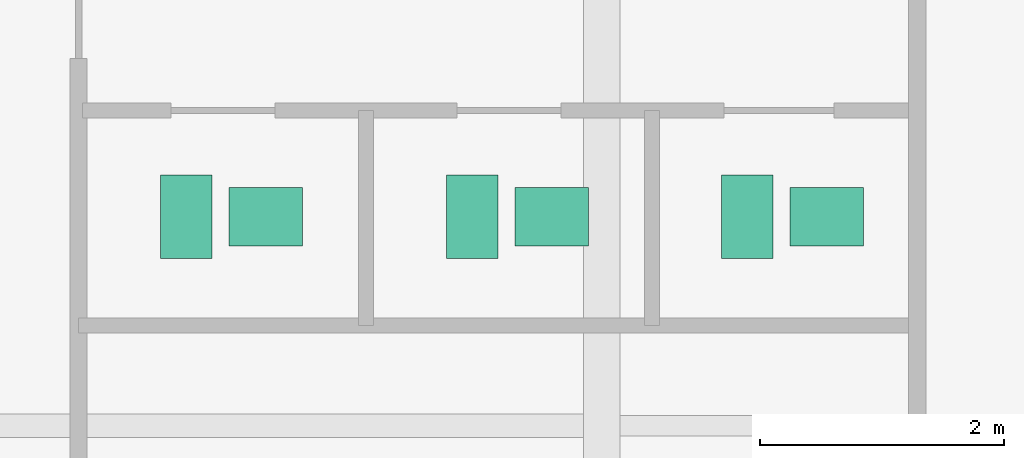
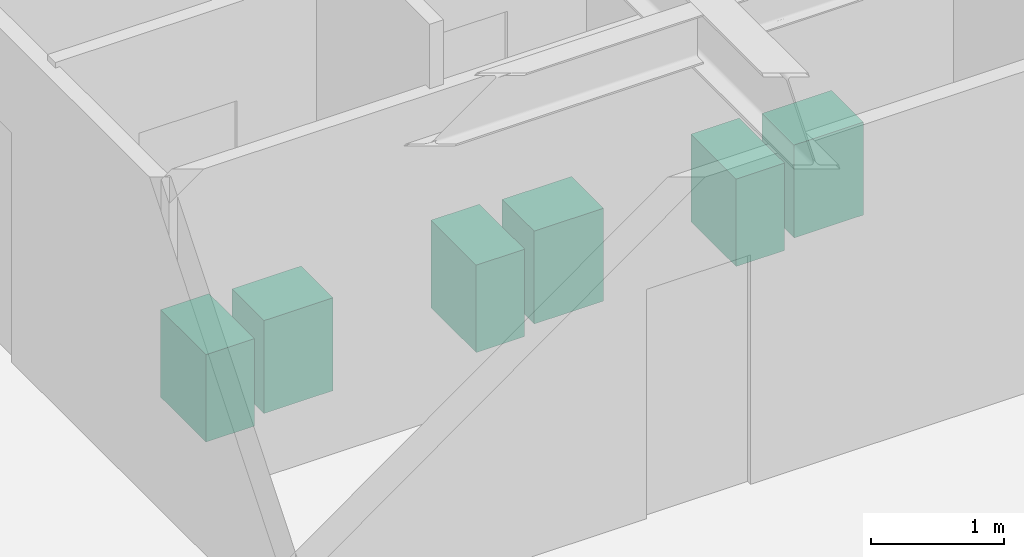
# One storey, part 25 of 25: 6 sanitary terminals.
"""IFC4 building model written with IfcOpenShell, lengths in metres."""

import ifcopenshell
import ifcopenshell.guid

model = None  # the IFC model being written
_history = None  # IfcOwnerHistory: only IFC2X3 demands one
_inside = {}  # id of a spatial element -> (the spatial element, [elements in it])
_under = {}  # id of a project, library or spatial element -> (it, [spatial elements below it])
_declared = {}  # id of a project -> (the project, [libraries it declares])
_typed = {}  # id of a type object -> (the type object, [elements of that type])
_made_of = {}  # id of a material, layer set ... -> (it, [elements and type objects made of it])


def new_model(schema):
    """Start an empty IFC model of exactly this schema.

    Asked for "IFC4X3", IfcOpenShell would pick the latest addendum, in which some entities
    have other attributes; the version numbers below select the first issue.
    IFC2X3 requires an IfcOwnerHistory on every rooted entity: one is made here for all.
    """
    global model, _history
    if schema == "IFC4X3":
        model = ifcopenshell.file(schema_version=(4, 3, 0, 0))
    else:
        model = ifcopenshell.file(schema=schema)
    _inside.clear()
    _under.clear()
    _declared.clear()
    _typed.clear()
    _made_of.clear()
    _history = None
    if model.schema == "IFC2X3":
        org = make("IfcOrganization", Name="unknown")
        user = make(
            "IfcPersonAndOrganization",
            ThePerson=make("IfcPerson", FamilyName="unknown"),
            TheOrganization=org,
        )
        app = make(
            "IfcApplication",
            ApplicationDeveloper=org,
            Version="unknown",
            ApplicationFullName="unknown",
            ApplicationIdentifier="unknown",
        )
        _history = make(
            "IfcOwnerHistory",
            OwningUser=user,
            OwningApplication=app,
            ChangeAction="ADDED",
            CreationDate=0,
        )
    return model


def make(cls, **values):
    """One entity of the class cls with the attributes given. An attribute that is None is left unset."""
    return model.create_entity(
        cls, **{name: value for name, value in values.items() if value is not None}
    )


def rooted(cls, **values):
    """An entity with a GlobalId (a new one), such as an element, a storey or a relation."""
    return make(cls, GlobalId=ifcopenshell.guid.new(), OwnerHistory=_history, **values)


def si_unit(unit_type, name, prefix=None):
    """IfcSIUnit, for example si_unit("LENGTHUNIT", "METRE", prefix="MILLI")."""
    return make("IfcSIUnit", UnitType=unit_type, Prefix=prefix, Name=name)


def assignment(units):
    """IfcUnitAssignment: the units of a project."""
    return None if units is None else make("IfcUnitAssignment", Units=units)


def point(xyz):
    """IfcCartesianPoint."""
    return None if xyz is None else make("IfcCartesianPoint", Coordinates=xyz)


def direction(xyz):
    """IfcDirection."""
    return None if xyz is None else make("IfcDirection", DirectionRatios=xyz)


def frame(location, z_axis=None, x_axis=None):
    """IfcAxis2Placement3D, a coordinate frame: its origin and axes. An axis left out is left unset."""
    return make(
        "IfcAxis2Placement3D",
        Location=point(location),
        Axis=direction(z_axis),
        RefDirection=direction(x_axis),
    )


def frame_2d(location, x_axis=None):
    """IfcAxis2Placement2D, a coordinate frame in the plane: its origin and x axis."""
    return make(
        "IfcAxis2Placement2D", Location=point(location), RefDirection=direction(x_axis)
    )


def origin():
    """The frame at (0, 0, 0) with its axes left unset."""
    return frame((0.0, 0.0, 0.0))


def origin_2d():
    """The frame at (0, 0) in the plane with its x axis left unset."""
    return frame_2d((0.0, 0.0))


def place(relative_to, where):
    """IfcLocalPlacement: puts the frame where relative to a parent placement (None: the world)."""
    return make(
        "IfcLocalPlacement", PlacementRelTo=relative_to, RelativePlacement=where
    )


def context(
    kind, dimensions, precision=None, world=None, true_north=None, identifier=None
):
    """IfcGeometricRepresentationContext, for example the 3D "Model" context."""
    return make(
        "IfcGeometricRepresentationContext",
        ContextIdentifier=identifier,
        ContextType=kind,
        CoordinateSpaceDimension=dimensions,
        Precision=precision,
        WorldCoordinateSystem=world,
        TrueNorth=true_north,
    )


def subcontext(parent, identifier, kind, view, scale=None):
    """IfcGeometricRepresentationSubContext, for example "Body" below "Model"."""
    return make(
        "IfcGeometricRepresentationSubContext",
        ContextIdentifier=identifier,
        ContextType=kind,
        ParentContext=parent,
        TargetScale=scale,
        TargetView=view,
    )


def project(units=None, contexts=None):
    """IfcProject with its units and contexts."""
    return rooted(
        "IfcProject",
        Name="project",
        RepresentationContexts=contexts,
        UnitsInContext=assignment(units),
    )


def spatial(cls, under=None, at=None, **own):
    """A site, building, storey or space (cls), placed at a placement, below another one or the project."""
    s = rooted(cls, ObjectPlacement=at, **own)
    if under is not None:
        _under.setdefault(under.id(), (under, []))[1].append(s)
    return s


def profile(cls, at=None, kind="AREA", **sizes):
    """A parametric profile (cls). Its sizes go by their IFC names, for example OverallWidth=200.0."""
    return make(cls, ProfileType=kind, Position=at, **sizes)


def rectangle(**sizes):
    """IfcRectangleProfileDef."""
    return profile("IfcRectangleProfileDef", **sizes)


def extrude(swept, where, along, depth):
    """IfcExtrudedAreaSolid: the profile swept, set in the frame where, extruded along a direction by depth."""
    return make(
        "IfcExtrudedAreaSolid",
        SweptArea=swept,
        Position=where,
        ExtrudedDirection=direction(along),
        Depth=depth,
    )


def shape(context_of_items, identifier, shape_type, items):
    """IfcShapeRepresentation: the items that make up one representation, for example the "Body"."""
    return make(
        "IfcShapeRepresentation",
        ContextOfItems=context_of_items,
        RepresentationIdentifier=identifier,
        RepresentationType=shape_type,
        Items=items,
    )


def source(mapping_origin, context_of_items, identifier, shape_type, items):
    """IfcRepresentationMap: a shape defined once, which mapped items show again and again."""
    return make(
        "IfcRepresentationMap",
        MappingOrigin=mapping_origin,
        MappedRepresentation=shape(context_of_items, identifier, shape_type, items),
    )


def transform(
    local_origin,
    x_axis=None,
    y_axis=None,
    z_axis=None,
    scale=None,
    scale2=None,
    scale3=None,
    uniform=True,
):
    """IfcCartesianTransformationOperator3D, or its non-uniform kind. x_axis, y_axis, z_axis: its Axis1, 2, 3."""
    if uniform:
        return make(
            "IfcCartesianTransformationOperator3D",
            Axis1=direction(x_axis),
            Axis2=direction(y_axis),
            LocalOrigin=point(local_origin),
            Scale=scale,
            Axis3=direction(z_axis),
        )
    return make(
        "IfcCartesianTransformationOperator3DnonUniform",
        Axis1=direction(x_axis),
        Axis2=direction(y_axis),
        LocalOrigin=point(local_origin),
        Scale=scale,
        Axis3=direction(z_axis),
        Scale2=scale2,
        Scale3=scale3,
    )


def mapped(mapping_source, mapping_target):
    """IfcMappedItem: shows the shape of a source again, moved by a transform."""
    return make(
        "IfcMappedItem", MappingSource=mapping_source, MappingTarget=mapping_target
    )


def material(Name=None, Category=None):
    """IfcMaterial."""
    return make("IfcMaterial", Name=Name, Category=Category)


def made_of(thing, what):
    """Note that an element or type object is made of a material, layer set ...; save() writes the relation."""
    if what is not None:
        _made_of.setdefault(what.id(), (what, []))[1].append(thing)
    return thing


def type_object(cls, material=None, **own):
    """A type object (cls), such as IfcWallType, which elements share."""
    return made_of(rooted(cls, **own), material)


def type_shapes(of_type, sources):
    """Give a type object the sources (RepresentationMaps) that its elements show as mapped items."""
    of_type.RepresentationMaps = sources


def element(
    cls,
    number,
    at=None,
    inside=None,
    cuts=None,
    type_object=None,
    material=None,
    context=None,
    identifier="Body",
    shape_type=None,
    held_by="IfcProductDefinitionShape",
    body=None,
    shapes=None,
    **own,
):
    """One element of the class cls, such as IfcWall. Its Tag is "e" and its number.

    at: its placement. inside: the storey or other place that contains it. cuts: it is an
    opening in that element (IfcRelVoidsElement). A single representation is given by context,
    identifier, shape_type and body (its items); several are given by shapes. held_by: the class
    of the entity that holds the representations. save() writes the other relations.
    """
    e = rooted(cls, Tag="e%d" % number, ObjectPlacement=at, **own)
    if body is not None:
        shapes = [shape(context, identifier, shape_type, body)]
    if shapes is not None:
        e.Representation = make(held_by, Representations=shapes)
    if inside is not None:
        _inside.setdefault(inside.id(), (inside, []))[1].append(e)
    if cuts is not None:
        rooted(
            "IfcRelVoidsElement", RelatingBuildingElement=cuts, RelatedOpeningElement=e
        )
    if type_object is not None:
        _typed.setdefault(type_object.id(), (type_object, []))[1].append(e)
    return made_of(e, material)


def aggregate(whole, parts):
    """IfcRelAggregates: a whole, such as a stair, and the parts it consists of."""
    return rooted("IfcRelAggregates", RelatingObject=whole, RelatedObjects=parts)


def save(model, path):
    """Write the relations noted so far, then the file.

    IfcRelAggregates (storeys below a building ...), IfcRelContainedInSpatialStructure (elements
    in a storey), IfcRelDefinesByType, IfcRelAssociatesMaterial and IfcRelDeclares: one each for
    every whole, place, type object, material and project.
    """
    for whole, parts in _under.values():
        aggregate(whole, parts)
    for where, things in _inside.values():
        rooted(
            "IfcRelContainedInSpatialStructure",
            RelatedElements=things,
            RelatingStructure=where,
        )
    for kind, things in _typed.values():
        rooted("IfcRelDefinesByType", RelatedObjects=things, RelatingType=kind)
    for what, things in _made_of.values():
        rooted("IfcRelAssociatesMaterial", RelatedObjects=things, RelatingMaterial=what)
    for by, libraries in _declared.values():
        rooted("IfcRelDeclares", RelatingContext=by, RelatedDefinitions=libraries)
    model.write(path)


model = new_model("IFC4")

# Units and contexts
model_context = context("Model", 3, precision=1e-05, world=origin(), true_north=direction((0.0, 1.0)))
body_context = subcontext(model_context, "Body", "Model", "MODEL_VIEW")
ifc_project = project(units=[si_unit("LENGTHUNIT", "METRE"), si_unit("AREAUNIT", "SQUARE_METRE"), si_unit("VOLUMEUNIT", "CUBIC_METRE"), si_unit("PLANEANGLEUNIT", "RADIAN"), si_unit("MASSUNIT", "GRAM", prefix="KILO")], contexts=[model_context])

# Site, building, storey
site_placement = place(None, origin())
site = spatial("IfcSite", under=ifc_project, at=site_placement, CompositionType="ELEMENT")
building_placement = place(site_placement, origin())
building = spatial("IfcBuilding", under=site, at=building_placement, Name="Krantzveldt Concourse Tower", CompositionType="ELEMENT")
storey_placement = place(building_placement, frame((0.0, 0.0, 197.550048828125)))
storey = spatial("IfcBuildingStorey", under=building, at=storey_placement, Name="L48", CompositionType="ELEMENT", Elevation=197.550048828125)

# Sanitary terminals
ifc_material = material(Name="Vitreous china", Category="ceramic")
sanitary_terminal_type_1 = type_object("IfcSanitaryTerminalType", Name="SAN-WC-SUITE", PredefinedType="TOILETPAN", material=ifc_material)
shared_shape_1 = source(origin(), body_context, "Body", "SweptSolid", [
    extrude(rectangle(XDim=0.419921875, YDim=0.679931640625, at=origin_2d()), origin(), (0.0, 0.0, 1.0), 0.800048828125),
])
type_shapes(sanitary_terminal_type_1, [shared_shape_1])
for number, where, z_axis, x_axis, name in (
    (1, (38.0, 31.909912109375, 0.0), (0.0, 0.0, 1.0), (1.0, 0.0, 0.0), "WC-SP-L48-WCM"),
    (2, (40.340087890625, 31.909912109375, 0.0), (0.0, 0.0, 1.0), (1.0, 0.0, 0.0), "WC-SP-L48-WCF"),
    (3, (42.590087890625, 31.909912109375, 0.0), (0.0, 0.0, 1.0), (1.0, 0.0, 0.0), "WC-SP-L48-WCA"),
):
    element("IfcSanitaryTerminal", number, at=place(storey_placement, frame(where, z_axis=z_axis, x_axis=x_axis)), inside=storey, type_object=sanitary_terminal_type_1, Name=name, PredefinedType="TOILETPAN", context=body_context, shape_type="MappedRepresentation", body=[
        mapped(shared_shape_1, transform((0.0, 0.0, 0.0), x_axis=(1.0, 0.0, 0.0), y_axis=(0.0, 1.0, 0.0), z_axis=(0.0, 0.0, 1.0), scale=1.0)),
    ])
sanitary_terminal_type_2 = type_object("IfcSanitaryTerminalType", Name="SAN-BASIN-600", PredefinedType="WASHHANDBASIN", material=ifc_material)
shared_shape_2 = source(origin(), body_context, "Body", "SweptSolid", [
    extrude(rectangle(XDim=0.60009765625, YDim=0.47998046875, at=origin_2d()), origin(), (0.0, 0.0, 1.0), 0.85009765625),
])
type_shapes(sanitary_terminal_type_2, [shared_shape_2])
for number, where, z_axis, x_axis, name in (
    (4, (38.64990234375, 31.909912109375, 0.0048828125), (0.0, 0.0, 1.0), (1.0, 0.0, 0.0), "BSN-SP-L48-WCM"),
    (5, (40.989990234375, 31.909912109375, 0.0048828125), (0.0, 0.0, 1.0), (1.0, 0.0, 0.0), "BSN-SP-L48-WCF"),
    (6, (43.239990234375, 31.909912109375, 0.0048828125), (0.0, 0.0, 1.0), (1.0, 0.0, 0.0), "BSN-SP-L48-WCA"),
):
    element("IfcSanitaryTerminal", number, at=place(storey_placement, frame(where, z_axis=z_axis, x_axis=x_axis)), inside=storey, type_object=sanitary_terminal_type_2, Name=name, PredefinedType="WASHHANDBASIN", context=body_context, shape_type="MappedRepresentation", body=[
        mapped(shared_shape_2, transform((0.0, 0.0, 0.0), x_axis=(1.0, 0.0, 0.0), y_axis=(0.0, 1.0, 0.0), z_axis=(0.0, 0.0, 1.0), scale=1.0)),
    ])

save(model, "model.ifc")
